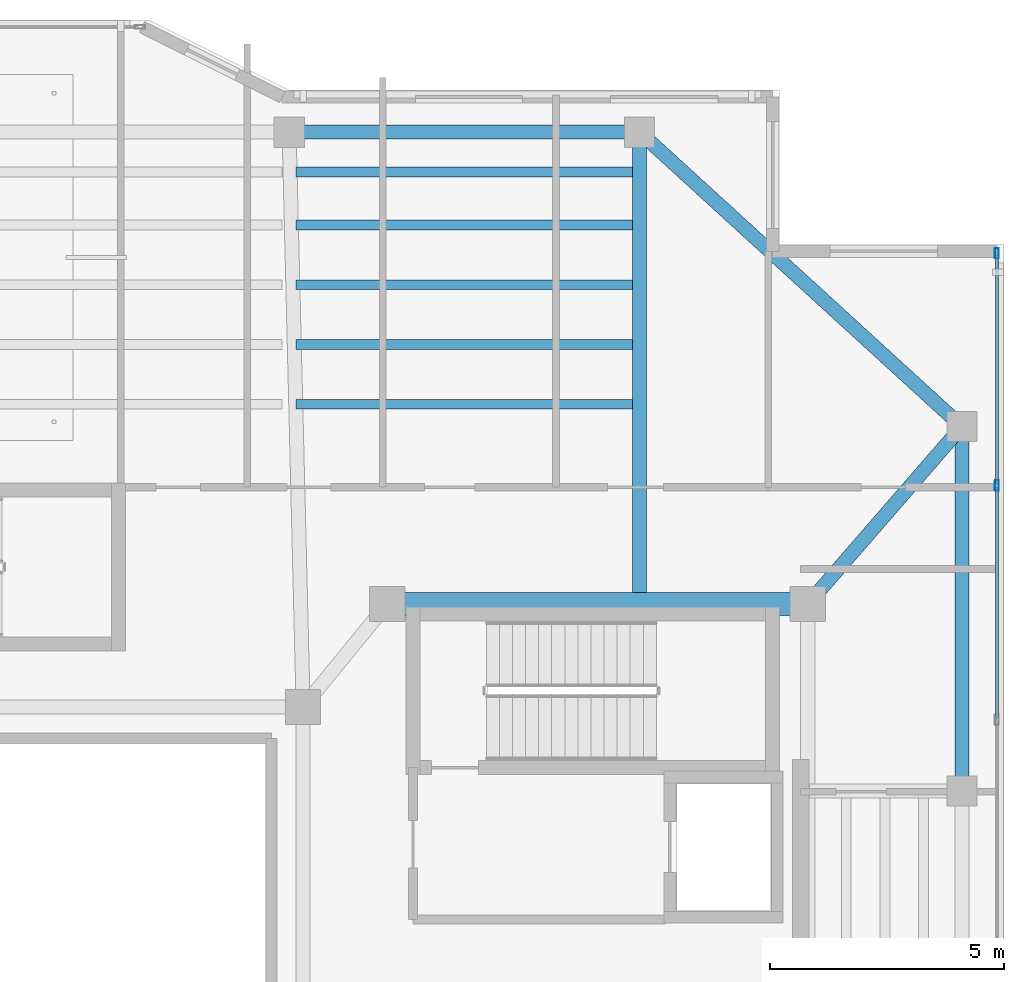
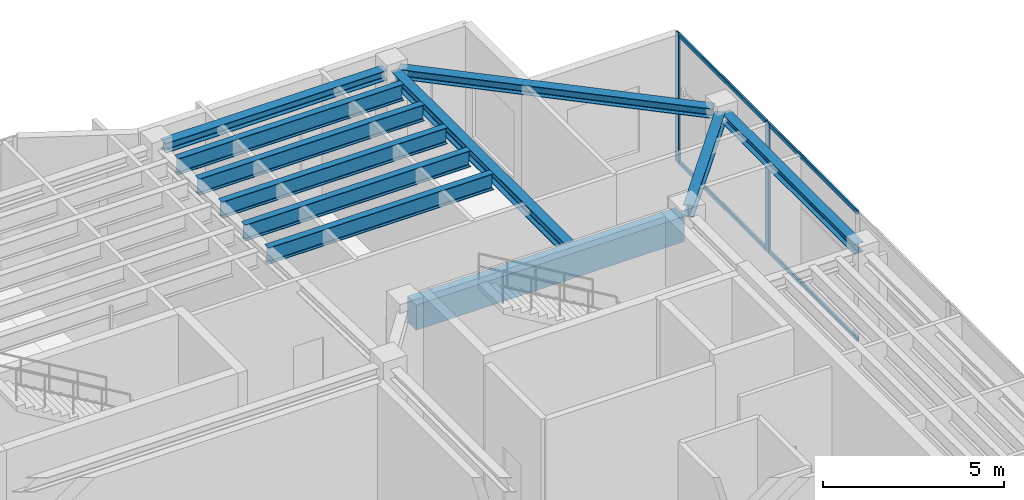
# One storey, part 12 of 25: 11 beams, 6 members, 1 element without a shape of its own.
"""IFC4 building model written with IfcOpenShell, lengths in metres."""

from ifc_helpers import new_model, si_unit, direction, frame, origin, origin_2d, place, context, subcontext, project, spatial, rectangle, hollow_rectangle, i_section, extrude, material, layer, layer_set, material_profile, profile_set, type_object, element, aggregate, save


model = new_model("IFC4")

# Units and contexts
model_context = context("Model", 3, precision=1e-05, world=origin(), true_north=direction((0.0, 1.0)))
body_context = subcontext(model_context, "Body", "Model", "MODEL_VIEW")
ifc_project = project(units=[si_unit("LENGTHUNIT", "METRE"), si_unit("AREAUNIT", "SQUARE_METRE"), si_unit("VOLUMEUNIT", "CUBIC_METRE"), si_unit("PLANEANGLEUNIT", "RADIAN"), si_unit("MASSUNIT", "GRAM", prefix="KILO")], contexts=[model_context])

# Site, building, storey
site_placement = place(None, origin())
site = spatial("IfcSite", under=ifc_project, at=site_placement, CompositionType="ELEMENT")
building_placement = place(site_placement, origin())
building = spatial("IfcBuilding", under=site, at=building_placement, Name="Tarnavaz Court Tower", CompositionType="ELEMENT")
storey_placement = place(building_placement, frame((0.0, 0.0, 271.64990234375)))
storey = spatial("IfcBuildingStorey", under=building, at=storey_placement, Name="L74", CompositionType="ELEMENT", Elevation=271.64990234375)

# Beams
ifc_material_1 = material(Name="Concrete C50/60", Category="concrete")
ifc_material_profile_1 = material_profile(ifc_material_1, rectangle(XDim=0.5, YDim=0.85009765625, at=origin_2d()), Name="RC 500X850")
ifc_profile_set_1 = profile_set([ifc_material_profile_1], Name="Concrete C50/60")
beam_type_1 = type_object("IfcBeamType", Name="BM-CB850", PredefinedType="LINTEL", material=ifc_profile_set_1)
beam_1_placement = place(storey_placement, frame((18.3798828125, 10.0, 3.925048828125), z_axis=(-1.0, 0.0, 0.0), x_axis=(0.0, -1.0, 0.0)))
element("IfcBeam", 1, at=beam_1_placement, inside=storey, type_object=beam_type_1, Name="L74 Beam IN-CE-NO-CE-NI", PredefinedType="LINTEL", context=body_context, shape_type="SweptSolid", body=[
    extrude(rectangle(XDim=0.5, YDim=0.85009765625, at=origin_2d()), origin(), (0.0, 0.0, 1.0), 8.559814453125),
])
ifc_material_2 = material(Name="Steel S355", Category="steel")
ifc_material_profile_2 = material_profile(ifc_material_2, i_section(OverallWidth=0.300048828125, OverallDepth=0.39990234375, WebThickness=0.013427734375, FlangeThickness=0.02392578125, FilletRadius=0.027099609375, at=origin_2d()), Name="HEB 400")
ifc_profile_set_2 = profile_set([ifc_material_profile_2], Name="Steel S355")
beam_type_2 = type_object("IfcBeamType", Name="BM-G-HEB400", PredefinedType="USERDEFINED", material=ifc_profile_set_2)
beam_2_placement = place(storey_placement, frame((15.0, 10.0400390625, 4.150146484375), z_axis=(0.0, 1.0, 0.0), x_axis=(-1.0, 0.0, 0.0)))
element("IfcBeam", 2, at=beam_2_placement, inside=storey, type_object=beam_type_2, Name="L74 Beam RG-04", ObjectType="GIRDER", PredefinedType="USERDEFINED", context=body_context, shape_type="SweptSolid", body=[
    extrude(i_section(OverallWidth=0.300048828125, OverallDepth=0.39990234375, WebThickness=0.013427734375, FlangeThickness=0.02392578125, FilletRadius=0.027099609375, at=origin_2d()), origin(), (0.0, 0.0, 1.0), 9.83984375),
])
beam_3_placement = place(storey_placement, frame((18.744384765625, 10.166015625, 4.150146484375), z_axis=(0.65565475567, 0.755060819648, 0.0), x_axis=(-0.755060819648, 0.65565475567, 0.0)))
element("IfcBeam", 3, at=beam_3_placement, inside=storey, type_object=beam_type_2, Name="L74 Beam RG-12", ObjectType="GIRDER", PredefinedType="USERDEFINED", context=body_context, shape_type="SweptSolid", body=[
    extrude(i_section(OverallWidth=0.300048828125, OverallDepth=0.39990234375, WebThickness=0.013427734375, FlangeThickness=0.02392578125, FilletRadius=0.027099609375, at=origin_2d()), origin(), (0.0, 0.0, 1.0), 4.5927734375),
])
ifc_material_profile_3 = material_profile(ifc_material_2, i_section(OverallWidth=0.2099609375, OverallDepth=0.550048828125, WebThickness=0.010986328125, FlangeThickness=0.01708984375, FilletRadius=0.02392578125, at=origin_2d()), Name="IPE 550")
ifc_profile_set_3 = profile_set([ifc_material_profile_3], Name="Steel S355")
beam_type_3 = type_object("IfcBeamType", Name="BM-J-IPE550", PredefinedType="JOIST", material=ifc_profile_set_3)
for number, where, z_axis, x_axis, name in (
    (4, (7.64990234375, 14.278076171875, 4.0751953125), (1.0, 0.0, 0.0), (0.0, 1.0, 0.0), "L74 Beam JN1-3"),
    (5, (7.64990234375, 15.555908203125, 4.0751953125), (1.0, 0.0, 0.0), (0.0, 1.0, 0.0), "L74 Beam JN2-3"),
    (6, (7.64990234375, 16.833984375, 4.0751953125), (1.0, 0.0, 0.0), (0.0, 1.0, 0.0), "L74 Beam JN3-3"),
    (7, (7.64990234375, 18.112060546875, 4.0751953125), (1.0, 0.0, 0.0), (0.0, 1.0, 0.0), "L74 Beam JN4-3"),
    (8, (7.64990234375, 19.248046875, 4.0751953125), (1.0, 0.0, 0.0), (0.0, 1.0, 0.0), "L74 Beam JN5-3"),
):
    element("IfcBeam", number, at=place(storey_placement, frame(where, z_axis=z_axis, x_axis=x_axis)), inside=storey, type_object=beam_type_3, Name=name, PredefinedType="JOIST", context=body_context, shape_type="SweptSolid", body=[
        extrude(i_section(OverallWidth=0.2099609375, OverallDepth=0.550048828125, WebThickness=0.010986328125, FlangeThickness=0.01708984375, FilletRadius=0.02392578125, at=origin_2d()), origin(), (0.0, 0.0, 1.0), 7.2001953125),
    ])
ifc_material_profile_4 = material_profile(ifc_material_2, i_section(OverallWidth=0.300048828125, OverallDepth=0.330078125, WebThickness=0.009521484375, FlangeThickness=0.0166015625, FilletRadius=0.027099609375, at=origin_2d()), Name="HEA 340")
ifc_profile_set_4 = profile_set([ifc_material_profile_4], Name="Steel S355")
beam_type_4 = type_object("IfcBeamType", Name="BM-SP-HEA340", PredefinedType="BEAM", material=ifc_profile_set_4)
beam_4_placement = place(storey_placement, frame((7.719970703125, 20.10009765625, 4.18505859375), z_axis=(1.0, 0.0, 0.0), x_axis=(0.0, 1.0, 0.0)))
element("IfcBeam", 9, at=beam_4_placement, inside=storey, type_object=beam_type_4, Name="L74 Beam PR-PN-3-PN-4", PredefinedType="BEAM", context=body_context, shape_type="SweptSolid", body=[
    extrude(i_section(OverallWidth=0.300048828125, OverallDepth=0.330078125, WebThickness=0.009521484375, FlangeThickness=0.0166015625, FilletRadius=0.027099609375, at=origin_2d()), origin(), (0.0, 0.0, 1.0), 7.06005859375),
])
beam_5_placement = place(storey_placement, frame((21.89990234375, 6.219970703125, 4.18505859375), z_axis=(0.0, 1.0, 0.0), x_axis=(-1.0, 0.0, 0.0)))
element("IfcBeam", 10, at=beam_5_placement, inside=storey, type_object=beam_type_4, Name="L74 Beam PR-PE-3-PE-4", PredefinedType="BEAM", context=body_context, shape_type="SweptSolid", body=[
    extrude(i_section(OverallWidth=0.300048828125, OverallDepth=0.330078125, WebThickness=0.009521484375, FlangeThickness=0.0166015625, FilletRadius=0.027099609375, at=origin_2d()), origin(), (0.0, 0.0, 1.0), 7.360107421875),
])
beam_6_placement = place(storey_placement, frame((15.16259765625, 19.95166015625, 4.18505859375), z_axis=(0.738474214476, -0.674281717499, 0.0), x_axis=(0.674281717499, 0.738474214476, 0.0)))
element("IfcBeam", 11, at=beam_6_placement, inside=storey, type_object=beam_type_4, Name="L74 Beam PR-PN-4-PE-4", PredefinedType="BEAM", context=body_context, shape_type="SweptSolid", body=[
    extrude(i_section(OverallWidth=0.300048828125, OverallDepth=0.330078125, WebThickness=0.009521484375, FlangeThickness=0.0166015625, FilletRadius=0.027099609375, at=origin_2d()), origin(), (0.0, 0.0, 1.0), 8.9033203125),
])

# Curtain wall, members
ifc_material_3 = material(Name="Anodised Aluminium 6063-T6 and Solar Low-E Glazing", Category="aluminium")
ifc_layer = layer(ifc_material_3, 0.2099609375)
ifc_layer_set = layer_set([ifc_layer], Name="Anodised Aluminium 6063-T6 and Solar Low-E Glazing")
curtain_wall_type = type_object("IfcCurtainWallType", Name="CW-SYS-06", PredefinedType="NOTDEFINED", material=ifc_layer_set)
curtain_wall_placement = place(storey_placement, origin())
curtain_wall = element("IfcCurtainWall", 12, at=curtain_wall_placement, inside=storey, type_object=curtain_wall_type, Name="L74 Observation Curtain Wall 12", PredefinedType="NOTDEFINED")
ifc_material_4 = material(Name="Anodised Aluminium 6063-T6", Category="aluminium")
ifc_material_profile_5 = material_profile(ifc_material_4, hollow_rectangle(XDim=0.0849609375, YDim=0.219970703125, WallThickness=0.006103515625, InnerFilletRadius=0.006103515625, OuterFilletRadius=0.011962890625, at=origin_2d()), Name="ALU RHS 220X85X6")
ifc_profile_set_5 = profile_set([ifc_material_profile_5], Name="Anodised Aluminium 6063-T6")
member_type_1 = type_object("IfcMemberType", Name="CW-MUL-220", PredefinedType="MULLION", material=ifc_profile_set_5)
member_1_placement = place(storey_placement, frame((22.64990234375, 17.507568359375, 0.0), z_axis=(0.0, 0.0, 1.0), x_axis=(1.0, 0.0, 0.0)))
member_1 = element("IfcMember", 13, at=member_1_placement, type_object=member_type_1, Name="CW mullion 1", PredefinedType="MULLION", context=body_context, shape_type="SweptSolid", body=[
    extrude(hollow_rectangle(XDim=0.0849609375, YDim=0.219970703125, WallThickness=0.006103515625, InnerFilletRadius=0.006103515625, OuterFilletRadius=0.011962890625, at=origin_2d()), origin(), (0.0, 0.0, 1.0), 4.35009765625),
])
member_2_placement = place(storey_placement, frame((22.64990234375, 12.53564453125, 0.0), z_axis=(0.0, 0.0, 1.0), x_axis=(1.0, 0.0, 0.0)))
member_2 = element("IfcMember", 14, at=member_2_placement, type_object=member_type_1, Name="CW mullion 2", PredefinedType="MULLION", context=body_context, shape_type="SweptSolid", body=[
    extrude(hollow_rectangle(XDim=0.0849609375, YDim=0.219970703125, WallThickness=0.006103515625, InnerFilletRadius=0.006103515625, OuterFilletRadius=0.011962890625, at=origin_2d()), origin(), (0.0, 0.0, 1.0), 4.35009765625),
])
ifc_material_profile_6 = material_profile(ifc_material_4, hollow_rectangle(XDim=0.06494140625, YDim=0.139892578125, WallThickness=0.00390625, InnerFilletRadius=0.00390625, OuterFilletRadius=0.008056640625, at=origin_2d()), Name="ALU RHS 140X65X4")
ifc_profile_set_6 = profile_set([ifc_material_profile_6], Name="Anodised Aluminium 6063-T6")
member_type_2 = type_object("IfcMemberType", Name="CW-TRN-140", PredefinedType="USERDEFINED", material=ifc_profile_set_6)
member_3_placement = place(storey_placement, frame((22.64990234375, 17.465087890625, 0.03271484375), z_axis=(0.0, -1.0, 0.0), x_axis=(1.0, 0.0, 0.0)))
member_3 = element("IfcMember", 15, at=member_3_placement, type_object=member_type_2, Name="CW transom 1.1", ObjectType="TRANSOM", PredefinedType="USERDEFINED", context=body_context, shape_type="SweptSolid", body=[
    extrude(hollow_rectangle(XDim=0.06494140625, YDim=0.139892578125, WallThickness=0.00390625, InnerFilletRadius=0.00390625, OuterFilletRadius=0.008056640625, at=origin_2d()), origin(), (0.0, 0.0, 1.0), 4.886962890625),
])
member_4_placement = place(storey_placement, frame((22.64990234375, 17.465087890625, 4.317626953125), z_axis=(0.0, -1.0, 0.0), x_axis=(1.0, 0.0, 0.0)))
member_4 = element("IfcMember", 16, at=member_4_placement, type_object=member_type_2, Name="CW transom 1.2", ObjectType="TRANSOM", PredefinedType="USERDEFINED", context=body_context, shape_type="SweptSolid", body=[
    extrude(hollow_rectangle(XDim=0.06494140625, YDim=0.139892578125, WallThickness=0.00390625, InnerFilletRadius=0.00390625, OuterFilletRadius=0.008056640625, at=origin_2d()), origin(), (0.0, 0.0, 1.0), 4.886962890625),
])
member_5_placement = place(storey_placement, frame((22.64990234375, 12.4931640625, 0.03271484375), z_axis=(0.0, -1.0, 0.0), x_axis=(1.0, 0.0, 0.0)))
member_5 = element("IfcMember", 17, at=member_5_placement, type_object=member_type_2, Name="CW transom 2.1", ObjectType="TRANSOM", PredefinedType="USERDEFINED", context=body_context, shape_type="SweptSolid", body=[
    extrude(hollow_rectangle(XDim=0.06494140625, YDim=0.139892578125, WallThickness=0.00390625, InnerFilletRadius=0.00390625, OuterFilletRadius=0.008056640625, at=origin_2d()), origin(), (0.0, 0.0, 1.0), 4.92919921875),
])
member_6_placement = place(storey_placement, frame((22.64990234375, 12.4931640625, 4.317626953125), z_axis=(0.0, -1.0, 0.0), x_axis=(1.0, 0.0, 0.0)))
member_6 = element("IfcMember", 18, at=member_6_placement, type_object=member_type_2, Name="CW transom 2.2", ObjectType="TRANSOM", PredefinedType="USERDEFINED", context=body_context, shape_type="SweptSolid", body=[
    extrude(hollow_rectangle(XDim=0.06494140625, YDim=0.139892578125, WallThickness=0.00390625, InnerFilletRadius=0.00390625, OuterFilletRadius=0.008056640625, at=origin_2d()), origin(), (0.0, 0.0, 1.0), 4.92919921875),
])
aggregate(curtain_wall, [member_1, member_2, member_3, member_4, member_5, member_6])

save(model, "model.ifc")
